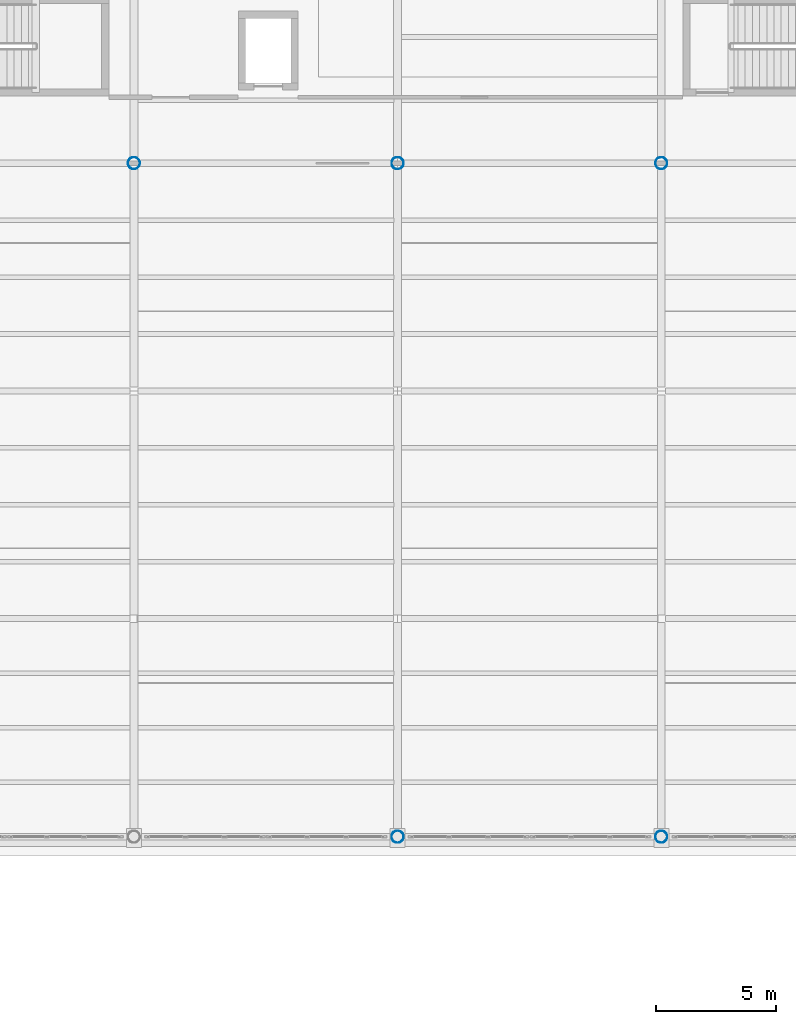
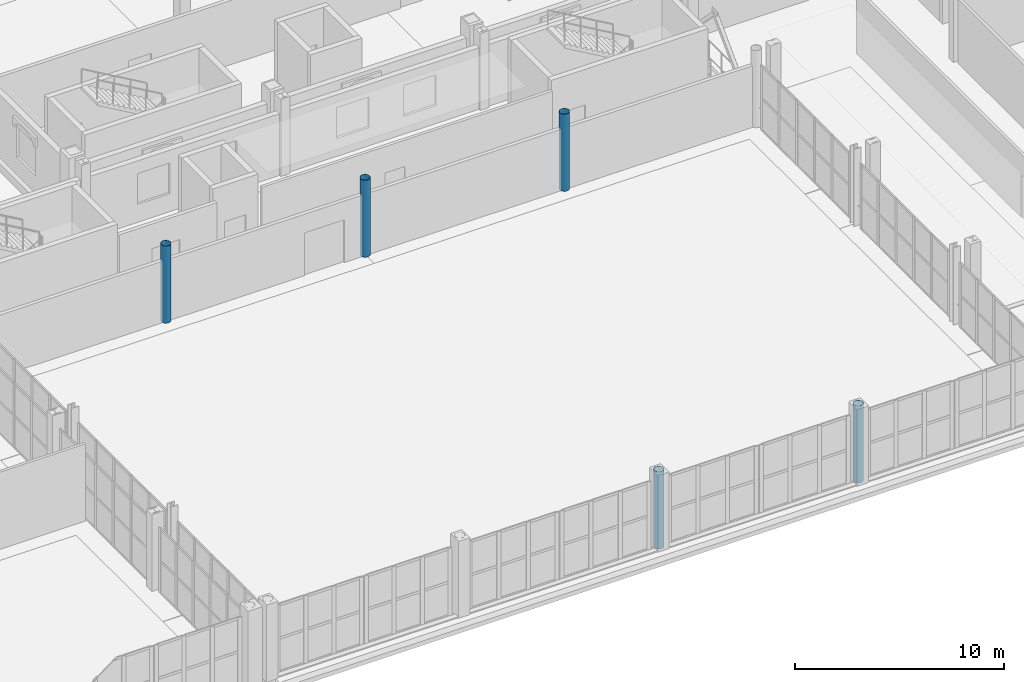
# One storey, part 4 of 156: 5 columns.
"""IFC4 building model written with IfcOpenShell, lengths in metres."""

from ifc_helpers import new_model, si_unit, direction, frame, origin, origin_2d, place, context, subcontext, project, spatial, hollow_circle, extrude, material, material_profile, profile_set, type_object, element, save


model = new_model("IFC4")

# Units and contexts
model_context = context("Model", 3, precision=1e-05, world=origin(), true_north=direction((0.0, 1.0)))
body_context = subcontext(model_context, "Body", "Model", "MODEL_VIEW")
ifc_project = project(units=[si_unit("LENGTHUNIT", "METRE"), si_unit("AREAUNIT", "SQUARE_METRE"), si_unit("VOLUMEUNIT", "CUBIC_METRE"), si_unit("PLANEANGLEUNIT", "RADIAN"), si_unit("MASSUNIT", "GRAM", prefix="KILO")], contexts=[model_context])

# Site, building, storey
site_placement = place(None, origin())
site = spatial("IfcSite", under=ifc_project, at=site_placement, CompositionType="ELEMENT")
building_placement = place(site_placement, origin())
building = spatial("IfcBuilding", under=site, at=building_placement, Name="Caurita Quay Ferry Terminal", CompositionType="ELEMENT")
storey_placement = place(building_placement, frame((0.0, 0.0, 5.39990234375)))
storey = spatial("IfcBuildingStorey", under=building, at=storey_placement, Name="L01", CompositionType="ELEMENT", Elevation=5.39990234375)

# Columns
ifc_material = material(Name="Hollow structural steel ASTM A500 Gr. C", Category="steel")
ifc_material_profile = material_profile(ifc_material, hollow_circle(Radius=0.25390625, WallThickness=0.01171875, at=origin_2d()), Name="HSS20.000X0.500")
ifc_profile_set = profile_set([ifc_material_profile], Name="Hollow structural steel ASTM A500 Gr. C")
column_type = type_object("IfcColumnType", Name="COL-MST-01", PredefinedType="COLUMN", material=ifc_profile_set)
for number, where, z_axis, x_axis, name in (
    (1, (99.199951171875, 62.699951171875, 0.0), (0.0, 0.0, 1.0), (1.0, 0.0, 0.0), "L01 Column V2-MST-11-N"),
    (2, (110.199951171875, 34.60009765625, 0.0), (0.0, 0.0, 1.0), (1.0, 0.0, 0.0), "L01 Column V2-MST-12-S"),
    (3, (110.199951171875, 62.699951171875, 0.0), (0.0, 0.0, 1.0), (1.0, 0.0, 0.0), "L01 Column V2-MST-12-N"),
    (4, (121.199951171875, 34.60009765625, 0.0), (0.0, 0.0, 1.0), (1.0, 0.0, 0.0), "L01 Column V2-MST-13-S"),
    (5, (121.199951171875, 62.699951171875, 0.0), (0.0, 0.0, 1.0), (1.0, 0.0, 0.0), "L01 Column V2-MST-13-N"),
):
    element("IfcColumn", number, at=place(storey_placement, frame(where, z_axis=z_axis, x_axis=x_axis)), inside=storey, type_object=column_type, Name=name, PredefinedType="COLUMN", context=body_context, shape_type="SweptSolid", body=[
        extrude(hollow_circle(Radius=0.25390625, WallThickness=0.01171875, at=origin_2d()), origin(), (0.0, 0.0, 1.0), 4.5),
    ])

save(model, "model.ifc")
